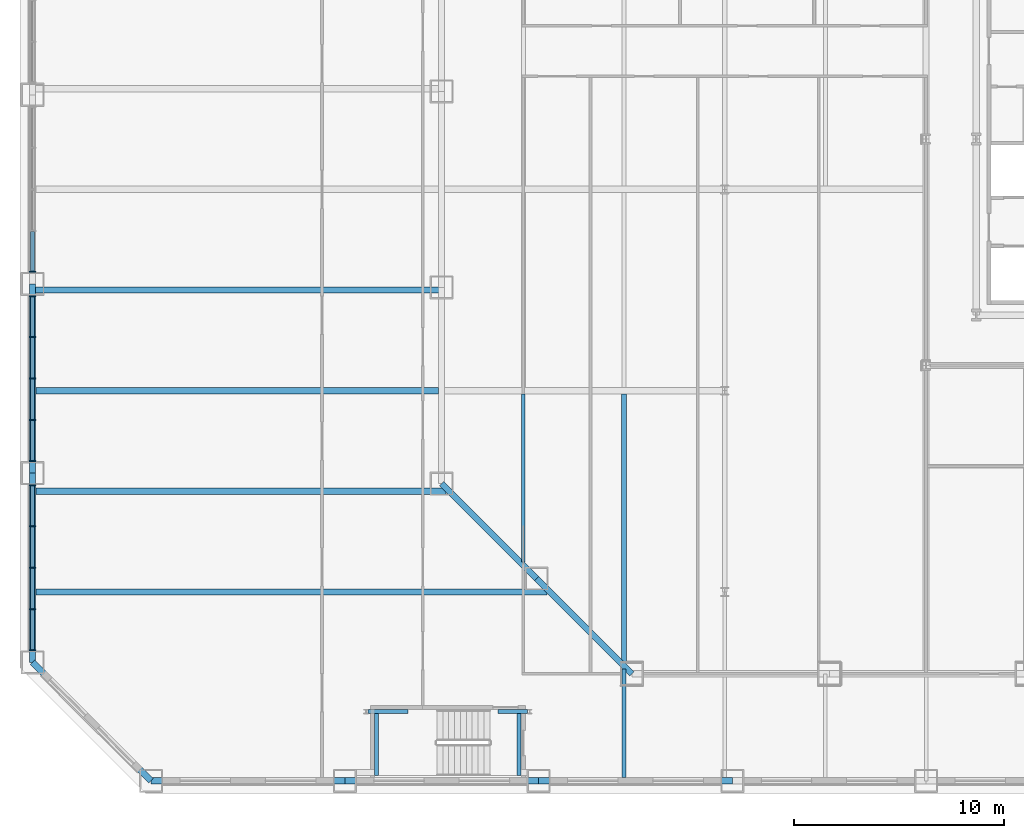
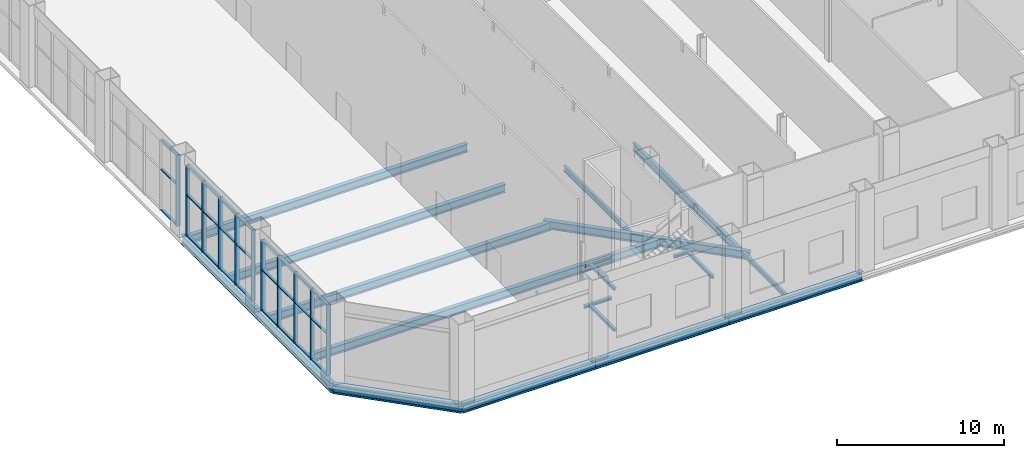
# One storey, part 8 of 31: 38 members, 21 beams, 3 elements without a shape of their own.
"""IFC4 building model written with IfcOpenShell, lengths in metres."""

from ifc_helpers import new_model, si_unit, direction, frame, origin, origin_2d, place, context, subcontext, project, spatial, rectangle, i_section, extrude, material, material_profile, profile_set, type_object, element, aggregate, save


model = new_model("IFC4")

# Units and contexts
model_context = context("Model", 3, precision=1e-05, world=origin(), true_north=direction((0.0, 1.0)))
body_context = subcontext(model_context, "Body", "Model", "MODEL_VIEW")
ifc_project = project(units=[si_unit("LENGTHUNIT", "METRE"), si_unit("AREAUNIT", "SQUARE_METRE"), si_unit("VOLUMEUNIT", "CUBIC_METRE"), si_unit("PLANEANGLEUNIT", "RADIAN"), si_unit("MASSUNIT", "GRAM", prefix="KILO")], contexts=[model_context])

# Site, building, storey
site_placement = place(None, origin())
site = spatial("IfcSite", under=ifc_project, at=site_placement, CompositionType="ELEMENT")
building_placement = place(site_placement, origin())
building = spatial("IfcBuilding", under=site, at=building_placement, Name="Cairn Pilgrim Tower", CompositionType="ELEMENT")
storey_placement = place(building_placement, frame((0.0, 0.0, 9.0)))
storey = spatial("IfcBuildingStorey", under=building, at=storey_placement, Name="L01", CompositionType="ELEMENT", Elevation=9.0)

# Curtain wall, member
ifc_material_1 = material(Name="Bronze anodised aluminium with Tinted laminated low-E glass", Category="aluminium")
curtain_wall_type = type_object("IfcCurtainWallType", Name="HALL CW", PredefinedType="NOTDEFINED", material=ifc_material_1)
curtain_wall_1_placement = place(storey_placement, origin())
curtain_wall_1 = element("IfcCurtainWall", 1, at=curtain_wall_1_placement, inside=storey, type_object=curtain_wall_type, Name="HALL CW L01 W3-W4", PredefinedType="NOTDEFINED")
ifc_material_2 = material(Name="Bronze anodised aluminium", Category="aluminium")
ifc_material_profile_1 = material_profile(ifc_material_2, rectangle(XDim=0.300048828125, YDim=0.06005859375, at=origin_2d()), Name="HALL MULLION 60x300 BRONZE")
ifc_profile_set_1 = profile_set([ifc_material_profile_1], Name="Bronze anodised aluminium")
member_type_1 = type_object("IfcMemberType", Name="HALL MULLION 60x300 BRONZE", PredefinedType="MULLION", material=ifc_profile_set_1)
member_1_placement = place(storey_placement, frame((-47.39990234375, -3.930419921875, 0.0), z_axis=(0.0, 0.0, 1.0), x_axis=(1.0, 0.0, 0.0)))
member_1 = element("IfcMember", 2, at=member_1_placement, type_object=member_type_1, Name="HCW-W3-W4 mullion 5", PredefinedType="MULLION", context=body_context, shape_type="SweptSolid", body=[
    extrude(rectangle(XDim=0.300048828125, YDim=0.06005859375, at=origin_2d()), origin(), (0.0, 0.0, 1.0), 5.199951171875),
])

# Curtain wall, members
curtain_wall_2_placement = place(storey_placement, origin())
curtain_wall_2 = element("IfcCurtainWall", 3, at=curtain_wall_2_placement, inside=storey, type_object=curtain_wall_type, Name="HALL CW L01 W4-W5", PredefinedType="NOTDEFINED")
member_2_placement = place(storey_placement, frame((-47.39990234375, -5.09033203125, 0.0), z_axis=(0.0, 0.0, 1.0), x_axis=(1.0, 0.0, 0.0)))
member_2 = element("IfcMember", 4, at=member_2_placement, type_object=member_type_1, Name="HCW-W4-W5 mullion 1", PredefinedType="MULLION", context=body_context, shape_type="SweptSolid", body=[
    extrude(rectangle(XDim=0.300048828125, YDim=0.06005859375, at=origin_2d()), origin(), (0.0, 0.0, 1.0), 5.199951171875),
])
member_3_placement = place(storey_placement, frame((-47.39990234375, -7.04052734375, 0.0), z_axis=(0.0, 0.0, 1.0), x_axis=(1.0, 0.0, 0.0)))
member_3 = element("IfcMember", 5, at=member_3_placement, type_object=member_type_1, Name="HCW-W4-W5 mullion 2", PredefinedType="MULLION", context=body_context, shape_type="SweptSolid", body=[
    extrude(rectangle(XDim=0.300048828125, YDim=0.06005859375, at=origin_2d()), origin(), (0.0, 0.0, 1.0), 5.199951171875),
])
member_4_placement = place(storey_placement, frame((-47.39990234375, -9.0205078125, 0.0), z_axis=(0.0, 0.0, 1.0), x_axis=(1.0, 0.0, 0.0)))
member_4 = element("IfcMember", 6, at=member_4_placement, type_object=member_type_1, Name="HCW-W4-W5 mullion 3", PredefinedType="MULLION", context=body_context, shape_type="SweptSolid", body=[
    extrude(rectangle(XDim=0.300048828125, YDim=0.06005859375, at=origin_2d()), origin(), (0.0, 0.0, 1.0), 5.199951171875),
])
member_5_placement = place(storey_placement, frame((-47.39990234375, -11.000732421875, 0.0), z_axis=(0.0, 0.0, 1.0), x_axis=(1.0, 0.0, 0.0)))
member_5 = element("IfcMember", 7, at=member_5_placement, type_object=member_type_1, Name="HCW-W4-W5 mullion 4", PredefinedType="MULLION", context=body_context, shape_type="SweptSolid", body=[
    extrude(rectangle(XDim=0.300048828125, YDim=0.06005859375, at=origin_2d()), origin(), (0.0, 0.0, 1.0), 5.199951171875),
])
member_6_placement = place(storey_placement, frame((-47.39990234375, -12.950927734375, 0.0), z_axis=(0.0, 0.0, 1.0), x_axis=(1.0, 0.0, 0.0)))
member_6 = element("IfcMember", 8, at=member_6_placement, type_object=member_type_1, Name="HCW-W4-W5 mullion 5", PredefinedType="MULLION", context=body_context, shape_type="SweptSolid", body=[
    extrude(rectangle(XDim=0.300048828125, YDim=0.06005859375, at=origin_2d()), origin(), (0.0, 0.0, 1.0), 5.199951171875),
])

curtain_wall_3_placement = place(storey_placement, origin())
curtain_wall_3 = element("IfcCurtainWall", 9, at=curtain_wall_3_placement, inside=storey, type_object=curtain_wall_type, Name="HALL CW L01 W5-SW1", PredefinedType="NOTDEFINED")
member_7_placement = place(storey_placement, frame((-47.39990234375, -14.11083984375, 0.0), z_axis=(0.0, 0.0, 1.0), x_axis=(1.0, 0.0, 0.0)))
member_7 = element("IfcMember", 10, at=member_7_placement, type_object=member_type_1, Name="HCW-W5-SW1 mullion 1", PredefinedType="MULLION", context=body_context, shape_type="SweptSolid", body=[
    extrude(rectangle(XDim=0.300048828125, YDim=0.06005859375, at=origin_2d()), origin(), (0.0, 0.0, 1.0), 5.199951171875),
])
member_8_placement = place(storey_placement, frame((-47.39990234375, -16.06103515625, 0.0), z_axis=(0.0, 0.0, 1.0), x_axis=(1.0, 0.0, 0.0)))
member_8 = element("IfcMember", 11, at=member_8_placement, type_object=member_type_1, Name="HCW-W5-SW1 mullion 2", PredefinedType="MULLION", context=body_context, shape_type="SweptSolid", body=[
    extrude(rectangle(XDim=0.300048828125, YDim=0.06005859375, at=origin_2d()), origin(), (0.0, 0.0, 1.0), 5.199951171875),
])
member_9_placement = place(storey_placement, frame((-47.39990234375, -18.041259765625, 0.0), z_axis=(0.0, 0.0, 1.0), x_axis=(1.0, 0.0, 0.0)))
member_9 = element("IfcMember", 12, at=member_9_placement, type_object=member_type_1, Name="HCW-W5-SW1 mullion 3", PredefinedType="MULLION", context=body_context, shape_type="SweptSolid", body=[
    extrude(rectangle(XDim=0.300048828125, YDim=0.06005859375, at=origin_2d()), origin(), (0.0, 0.0, 1.0), 5.199951171875),
])
member_10_placement = place(storey_placement, frame((-47.39990234375, -20.021240234375, 0.0), z_axis=(0.0, 0.0, 1.0), x_axis=(1.0, 0.0, 0.0)))
member_10 = element("IfcMember", 13, at=member_10_placement, type_object=member_type_1, Name="HCW-W5-SW1 mullion 4", PredefinedType="MULLION", context=body_context, shape_type="SweptSolid", body=[
    extrude(rectangle(XDim=0.300048828125, YDim=0.06005859375, at=origin_2d()), origin(), (0.0, 0.0, 1.0), 5.199951171875),
])
member_11_placement = place(storey_placement, frame((-47.39990234375, -21.971435546875, 0.0), z_axis=(0.0, 0.0, 1.0), x_axis=(1.0, 0.0, 0.0)))
member_11 = element("IfcMember", 14, at=member_11_placement, type_object=member_type_1, Name="HCW-W5-SW1 mullion 5", PredefinedType="MULLION", context=body_context, shape_type="SweptSolid", body=[
    extrude(rectangle(XDim=0.300048828125, YDim=0.06005859375, at=origin_2d()), origin(), (0.0, 0.0, 1.0), 5.199951171875),
])

# Member
ifc_material_profile_2 = material_profile(ifc_material_2, rectangle(XDim=0.199951171875, YDim=0.06005859375, at=origin_2d()), Name="HALL TRANSOM 60x200 BRONZE")
ifc_profile_set_2 = profile_set([ifc_material_profile_2], Name="Bronze anodised aluminium")
member_type_2 = type_object("IfcMemberType", Name="HALL TRANSOM 60x200 BRONZE", PredefinedType="USERDEFINED", material=ifc_profile_set_2)
member_12_placement = place(storey_placement, frame((-47.39990234375, -2.01025390625, 0.030029296875), z_axis=(0.0, -1.0, 0.0), x_axis=(1.0, 0.0, 0.0)))
member_12 = element("IfcMember", 15, at=member_12_placement, type_object=member_type_2, Name="HCW-W3-W4 transom 4.1", ObjectType="TRANSOM", PredefinedType="USERDEFINED", context=body_context, shape_type="SweptSolid", body=[
    extrude(rectangle(XDim=0.199951171875, YDim=0.06005859375, at=origin_2d()), origin(), (0.0, 0.0, 1.0), 1.89013671875),
])

member_13_placement = place(storey_placement, frame((-47.39990234375, -2.01025390625, 3.0), z_axis=(0.0, -1.0, 0.0), x_axis=(1.0, 0.0, 0.0)))
member_13 = element("IfcMember", 16, at=member_13_placement, type_object=member_type_2, Name="HCW-W3-W4 transom 4.2", ObjectType="TRANSOM", PredefinedType="USERDEFINED", context=body_context, shape_type="SweptSolid", body=[
    extrude(rectangle(XDim=0.199951171875, YDim=0.06005859375, at=origin_2d()), origin(), (0.0, 0.0, 1.0), 1.89013671875),
])

member_14_placement = place(storey_placement, frame((-47.39990234375, -2.01025390625, 5.169921875), z_axis=(0.0, -1.0, 0.0), x_axis=(1.0, 0.0, 0.0)))
member_14 = element("IfcMember", 17, at=member_14_placement, type_object=member_type_2, Name="HCW-W3-W4 transom 4.3", ObjectType="TRANSOM", PredefinedType="USERDEFINED", context=body_context, shape_type="SweptSolid", body=[
    extrude(rectangle(XDim=0.199951171875, YDim=0.06005859375, at=origin_2d()), origin(), (0.0, 0.0, 1.0), 1.89013671875),
])

aggregate(curtain_wall_1, [member_1, member_12, member_13, member_14])

member_15_placement = place(storey_placement, frame((-47.39990234375, -5.120361328125, 0.030029296875), z_axis=(0.0, -1.0, 0.0), x_axis=(1.0, 0.0, 0.0)))
member_15 = element("IfcMember", 18, at=member_15_placement, type_object=member_type_2, Name="HCW-W4-W5 transom 1.1", ObjectType="TRANSOM", PredefinedType="USERDEFINED", context=body_context, shape_type="SweptSolid", body=[
    extrude(rectangle(XDim=0.199951171875, YDim=0.06005859375, at=origin_2d()), origin(), (0.0, 0.0, 1.0), 1.89013671875),
])

member_16_placement = place(storey_placement, frame((-47.39990234375, -5.120361328125, 3.0), z_axis=(0.0, -1.0, 0.0), x_axis=(1.0, 0.0, 0.0)))
member_16 = element("IfcMember", 19, at=member_16_placement, type_object=member_type_2, Name="HCW-W4-W5 transom 1.2", ObjectType="TRANSOM", PredefinedType="USERDEFINED", context=body_context, shape_type="SweptSolid", body=[
    extrude(rectangle(XDim=0.199951171875, YDim=0.06005859375, at=origin_2d()), origin(), (0.0, 0.0, 1.0), 1.89013671875),
])

member_17_placement = place(storey_placement, frame((-47.39990234375, -5.120361328125, 5.169921875), z_axis=(0.0, -1.0, 0.0), x_axis=(1.0, 0.0, 0.0)))
member_17 = element("IfcMember", 20, at=member_17_placement, type_object=member_type_2, Name="HCW-W4-W5 transom 1.3", ObjectType="TRANSOM", PredefinedType="USERDEFINED", context=body_context, shape_type="SweptSolid", body=[
    extrude(rectangle(XDim=0.199951171875, YDim=0.06005859375, at=origin_2d()), origin(), (0.0, 0.0, 1.0), 1.89013671875),
])

member_18_placement = place(storey_placement, frame((-47.39990234375, -7.070556640625, 0.030029296875), z_axis=(0.0, -1.0, 0.0), x_axis=(1.0, 0.0, 0.0)))
member_18 = element("IfcMember", 21, at=member_18_placement, type_object=member_type_2, Name="HCW-W4-W5 transom 2.1", ObjectType="TRANSOM", PredefinedType="USERDEFINED", context=body_context, shape_type="SweptSolid", body=[
    extrude(rectangle(XDim=0.199951171875, YDim=0.06005859375, at=origin_2d()), origin(), (0.0, 0.0, 1.0), 1.919921875),
])

member_19_placement = place(storey_placement, frame((-47.39990234375, -7.070556640625, 3.0), z_axis=(0.0, -1.0, 0.0), x_axis=(1.0, 0.0, 0.0)))
member_19 = element("IfcMember", 22, at=member_19_placement, type_object=member_type_2, Name="HCW-W4-W5 transom 2.2", ObjectType="TRANSOM", PredefinedType="USERDEFINED", context=body_context, shape_type="SweptSolid", body=[
    extrude(rectangle(XDim=0.199951171875, YDim=0.06005859375, at=origin_2d()), origin(), (0.0, 0.0, 1.0), 1.919921875),
])

member_20_placement = place(storey_placement, frame((-47.39990234375, -7.070556640625, 5.169921875), z_axis=(0.0, -1.0, 0.0), x_axis=(1.0, 0.0, 0.0)))
member_20 = element("IfcMember", 23, at=member_20_placement, type_object=member_type_2, Name="HCW-W4-W5 transom 2.3", ObjectType="TRANSOM", PredefinedType="USERDEFINED", context=body_context, shape_type="SweptSolid", body=[
    extrude(rectangle(XDim=0.199951171875, YDim=0.06005859375, at=origin_2d()), origin(), (0.0, 0.0, 1.0), 1.919921875),
])

member_21_placement = place(storey_placement, frame((-47.39990234375, -9.050537109375, 0.030029296875), z_axis=(0.0, -1.0, 0.0), x_axis=(1.0, 0.0, 0.0)))
member_21 = element("IfcMember", 24, at=member_21_placement, type_object=member_type_2, Name="HCW-W4-W5 transom 3.1", ObjectType="TRANSOM", PredefinedType="USERDEFINED", context=body_context, shape_type="SweptSolid", body=[
    extrude(rectangle(XDim=0.199951171875, YDim=0.06005859375, at=origin_2d()), origin(), (0.0, 0.0, 1.0), 1.920166015625),
])

member_22_placement = place(storey_placement, frame((-47.39990234375, -9.050537109375, 3.0), z_axis=(0.0, -1.0, 0.0), x_axis=(1.0, 0.0, 0.0)))
member_22 = element("IfcMember", 25, at=member_22_placement, type_object=member_type_2, Name="HCW-W4-W5 transom 3.2", ObjectType="TRANSOM", PredefinedType="USERDEFINED", context=body_context, shape_type="SweptSolid", body=[
    extrude(rectangle(XDim=0.199951171875, YDim=0.06005859375, at=origin_2d()), origin(), (0.0, 0.0, 1.0), 1.920166015625),
])

member_23_placement = place(storey_placement, frame((-47.39990234375, -9.050537109375, 5.169921875), z_axis=(0.0, -1.0, 0.0), x_axis=(1.0, 0.0, 0.0)))
member_23 = element("IfcMember", 26, at=member_23_placement, type_object=member_type_2, Name="HCW-W4-W5 transom 3.3", ObjectType="TRANSOM", PredefinedType="USERDEFINED", context=body_context, shape_type="SweptSolid", body=[
    extrude(rectangle(XDim=0.199951171875, YDim=0.06005859375, at=origin_2d()), origin(), (0.0, 0.0, 1.0), 1.920166015625),
])

member_24_placement = place(storey_placement, frame((-47.39990234375, -11.03076171875, 0.030029296875), z_axis=(0.0, -1.0, 0.0), x_axis=(1.0, 0.0, 0.0)))
member_24 = element("IfcMember", 27, at=member_24_placement, type_object=member_type_2, Name="HCW-W4-W5 transom 4.1", ObjectType="TRANSOM", PredefinedType="USERDEFINED", context=body_context, shape_type="SweptSolid", body=[
    extrude(rectangle(XDim=0.199951171875, YDim=0.06005859375, at=origin_2d()), origin(), (0.0, 0.0, 1.0), 1.89013671875),
])

member_25_placement = place(storey_placement, frame((-47.39990234375, -11.03076171875, 3.0), z_axis=(0.0, -1.0, 0.0), x_axis=(1.0, 0.0, 0.0)))
member_25 = element("IfcMember", 28, at=member_25_placement, type_object=member_type_2, Name="HCW-W4-W5 transom 4.2", ObjectType="TRANSOM", PredefinedType="USERDEFINED", context=body_context, shape_type="SweptSolid", body=[
    extrude(rectangle(XDim=0.199951171875, YDim=0.06005859375, at=origin_2d()), origin(), (0.0, 0.0, 1.0), 1.89013671875),
])

member_26_placement = place(storey_placement, frame((-47.39990234375, -11.03076171875, 5.169921875), z_axis=(0.0, -1.0, 0.0), x_axis=(1.0, 0.0, 0.0)))
member_26 = element("IfcMember", 29, at=member_26_placement, type_object=member_type_2, Name="HCW-W4-W5 transom 4.3", ObjectType="TRANSOM", PredefinedType="USERDEFINED", context=body_context, shape_type="SweptSolid", body=[
    extrude(rectangle(XDim=0.199951171875, YDim=0.06005859375, at=origin_2d()), origin(), (0.0, 0.0, 1.0), 1.89013671875),
])

aggregate(curtain_wall_2, [member_2, member_3, member_4, member_5, member_6, member_15, member_16, member_17, member_18, member_19, member_20, member_21, member_22, member_23, member_24, member_25, member_26])

member_27_placement = place(storey_placement, frame((-47.39990234375, -14.140869140625, 0.030029296875), z_axis=(0.0, -1.0, 0.0), x_axis=(1.0, 0.0, 0.0)))
member_27 = element("IfcMember", 30, at=member_27_placement, type_object=member_type_2, Name="HCW-W5-SW1 transom 1.1", ObjectType="TRANSOM", PredefinedType="USERDEFINED", context=body_context, shape_type="SweptSolid", body=[
    extrude(rectangle(XDim=0.199951171875, YDim=0.06005859375, at=origin_2d()), origin(), (0.0, 0.0, 1.0), 1.89013671875),
])

member_28_placement = place(storey_placement, frame((-47.39990234375, -14.140869140625, 3.0), z_axis=(0.0, -1.0, 0.0), x_axis=(1.0, 0.0, 0.0)))
member_28 = element("IfcMember", 31, at=member_28_placement, type_object=member_type_2, Name="HCW-W5-SW1 transom 1.2", ObjectType="TRANSOM", PredefinedType="USERDEFINED", context=body_context, shape_type="SweptSolid", body=[
    extrude(rectangle(XDim=0.199951171875, YDim=0.06005859375, at=origin_2d()), origin(), (0.0, 0.0, 1.0), 1.89013671875),
])

member_29_placement = place(storey_placement, frame((-47.39990234375, -14.140869140625, 5.169921875), z_axis=(0.0, -1.0, 0.0), x_axis=(1.0, 0.0, 0.0)))
member_29 = element("IfcMember", 32, at=member_29_placement, type_object=member_type_2, Name="HCW-W5-SW1 transom 1.3", ObjectType="TRANSOM", PredefinedType="USERDEFINED", context=body_context, shape_type="SweptSolid", body=[
    extrude(rectangle(XDim=0.199951171875, YDim=0.06005859375, at=origin_2d()), origin(), (0.0, 0.0, 1.0), 1.89013671875),
])

member_30_placement = place(storey_placement, frame((-47.39990234375, -16.091064453125, 0.030029296875), z_axis=(0.0, -1.0, 0.0), x_axis=(1.0, 0.0, 0.0)))
member_30 = element("IfcMember", 33, at=member_30_placement, type_object=member_type_2, Name="HCW-W5-SW1 transom 2.1", ObjectType="TRANSOM", PredefinedType="USERDEFINED", context=body_context, shape_type="SweptSolid", body=[
    extrude(rectangle(XDim=0.199951171875, YDim=0.06005859375, at=origin_2d()), origin(), (0.0, 0.0, 1.0), 1.920166015625),
])

member_31_placement = place(storey_placement, frame((-47.39990234375, -16.091064453125, 3.0), z_axis=(0.0, -1.0, 0.0), x_axis=(1.0, 0.0, 0.0)))
member_31 = element("IfcMember", 34, at=member_31_placement, type_object=member_type_2, Name="HCW-W5-SW1 transom 2.2", ObjectType="TRANSOM", PredefinedType="USERDEFINED", context=body_context, shape_type="SweptSolid", body=[
    extrude(rectangle(XDim=0.199951171875, YDim=0.06005859375, at=origin_2d()), origin(), (0.0, 0.0, 1.0), 1.920166015625),
])

member_32_placement = place(storey_placement, frame((-47.39990234375, -16.091064453125, 5.169921875), z_axis=(0.0, -1.0, 0.0), x_axis=(1.0, 0.0, 0.0)))
member_32 = element("IfcMember", 35, at=member_32_placement, type_object=member_type_2, Name="HCW-W5-SW1 transom 2.3", ObjectType="TRANSOM", PredefinedType="USERDEFINED", context=body_context, shape_type="SweptSolid", body=[
    extrude(rectangle(XDim=0.199951171875, YDim=0.06005859375, at=origin_2d()), origin(), (0.0, 0.0, 1.0), 1.920166015625),
])

member_33_placement = place(storey_placement, frame((-47.39990234375, -18.0712890625, 0.030029296875), z_axis=(0.0, -1.0, 0.0), x_axis=(1.0, 0.0, 0.0)))
member_33 = element("IfcMember", 36, at=member_33_placement, type_object=member_type_2, Name="HCW-W5-SW1 transom 3.1", ObjectType="TRANSOM", PredefinedType="USERDEFINED", context=body_context, shape_type="SweptSolid", body=[
    extrude(rectangle(XDim=0.199951171875, YDim=0.06005859375, at=origin_2d()), origin(), (0.0, 0.0, 1.0), 1.920166015625),
])

member_34_placement = place(storey_placement, frame((-47.39990234375, -18.0712890625, 3.0), z_axis=(0.0, -1.0, 0.0), x_axis=(1.0, 0.0, 0.0)))
member_34 = element("IfcMember", 37, at=member_34_placement, type_object=member_type_2, Name="HCW-W5-SW1 transom 3.2", ObjectType="TRANSOM", PredefinedType="USERDEFINED", context=body_context, shape_type="SweptSolid", body=[
    extrude(rectangle(XDim=0.199951171875, YDim=0.06005859375, at=origin_2d()), origin(), (0.0, 0.0, 1.0), 1.920166015625),
])

member_35_placement = place(storey_placement, frame((-47.39990234375, -18.0712890625, 5.169921875), z_axis=(0.0, -1.0, 0.0), x_axis=(1.0, 0.0, 0.0)))
member_35 = element("IfcMember", 38, at=member_35_placement, type_object=member_type_2, Name="HCW-W5-SW1 transom 3.3", ObjectType="TRANSOM", PredefinedType="USERDEFINED", context=body_context, shape_type="SweptSolid", body=[
    extrude(rectangle(XDim=0.199951171875, YDim=0.06005859375, at=origin_2d()), origin(), (0.0, 0.0, 1.0), 1.920166015625),
])

member_36_placement = place(storey_placement, frame((-47.39990234375, -20.05126953125, 0.030029296875), z_axis=(0.0, -1.0, 0.0), x_axis=(1.0, 0.0, 0.0)))
member_36 = element("IfcMember", 39, at=member_36_placement, type_object=member_type_2, Name="HCW-W5-SW1 transom 4.1", ObjectType="TRANSOM", PredefinedType="USERDEFINED", context=body_context, shape_type="SweptSolid", body=[
    extrude(rectangle(XDim=0.199951171875, YDim=0.06005859375, at=origin_2d()), origin(), (0.0, 0.0, 1.0), 1.89013671875),
])

member_37_placement = place(storey_placement, frame((-47.39990234375, -20.05126953125, 3.0), z_axis=(0.0, -1.0, 0.0), x_axis=(1.0, 0.0, 0.0)))
member_37 = element("IfcMember", 40, at=member_37_placement, type_object=member_type_2, Name="HCW-W5-SW1 transom 4.2", ObjectType="TRANSOM", PredefinedType="USERDEFINED", context=body_context, shape_type="SweptSolid", body=[
    extrude(rectangle(XDim=0.199951171875, YDim=0.06005859375, at=origin_2d()), origin(), (0.0, 0.0, 1.0), 1.89013671875),
])

member_38_placement = place(storey_placement, frame((-47.39990234375, -20.05126953125, 5.169921875), z_axis=(0.0, -1.0, 0.0), x_axis=(1.0, 0.0, 0.0)))
member_38 = element("IfcMember", 41, at=member_38_placement, type_object=member_type_2, Name="HCW-W5-SW1 transom 4.3", ObjectType="TRANSOM", PredefinedType="USERDEFINED", context=body_context, shape_type="SweptSolid", body=[
    extrude(rectangle(XDim=0.199951171875, YDim=0.06005859375, at=origin_2d()), origin(), (0.0, 0.0, 1.0), 1.89013671875),
])

aggregate(curtain_wall_3, [member_7, member_8, member_9, member_10, member_11, member_27, member_28, member_29, member_30, member_31, member_32, member_33, member_34, member_35, member_36, member_37, member_38])

# Beams
ifc_material_3 = material(Name="Structural steel S355J2", Category="steel")
ifc_material_profile_3 = material_profile(ifc_material_3, i_section(OverallWidth=0.300048828125, OverallDepth=0.60009765625, WebThickness=0.015380859375, FlangeThickness=0.030029296875, FilletRadius=0.027099609375, at=origin_2d()), Name="HEB 600")
ifc_profile_set_3 = profile_set([ifc_material_profile_3], Name="Structural steel S355J2")
beam_type_1 = type_object("IfcBeamType", Name="PODIUM BEAM HE 600 B", PredefinedType="BEAM", material=ifc_profile_set_3)
beam_1_placement = place(storey_placement, frame((-47.248046875, -19.199951171875, -0.5), z_axis=(1.0, 0.0, 0.0), x_axis=(0.0, 1.0, 0.0)))
element("IfcBeam", 42, at=beam_1_placement, inside=storey, type_object=beam_type_1, Name="PODIUM BEAM PB-HE600B", PredefinedType="BEAM", context=body_context, shape_type="SweptSolid", body=[
    extrude(i_section(OverallWidth=0.300048828125, OverallDepth=0.60009765625, WebThickness=0.015380859375, FlangeThickness=0.030029296875, FilletRadius=0.027099609375, at=origin_2d()), origin(), (0.0, 0.0, 1.0), 24.368896484375),
])
beam_2_placement = place(storey_placement, frame((-47.248046875, -14.39990234375, -0.5), z_axis=(1.0, 0.0, 0.0), x_axis=(0.0, 1.0, 0.0)))
element("IfcBeam", 43, at=beam_2_placement, inside=storey, type_object=beam_type_1, Name="PODIUM BEAM PB-HE600B", PredefinedType="BEAM", context=body_context, shape_type="SweptSolid", body=[
    extrude(i_section(OverallWidth=0.300048828125, OverallDepth=0.60009765625, WebThickness=0.015380859375, FlangeThickness=0.030029296875, FilletRadius=0.027099609375, at=origin_2d()), origin(), (0.0, 0.0, 1.0), 19.56884765625),
])
beam_3_placement = place(storey_placement, frame((-47.248046875, -9.60009765625, -0.5), z_axis=(1.0, 0.0, 0.0), x_axis=(0.0, 1.0, 0.0)))
element("IfcBeam", 44, at=beam_3_placement, inside=storey, type_object=beam_type_1, Name="PODIUM BEAM PB-HE600B", PredefinedType="BEAM", context=body_context, shape_type="SweptSolid", body=[
    extrude(i_section(OverallWidth=0.300048828125, OverallDepth=0.60009765625, WebThickness=0.015380859375, FlangeThickness=0.030029296875, FilletRadius=0.027099609375, at=origin_2d()), origin(), (0.0, 0.0, 1.0), 19.196044921875),
])
beam_4_placement = place(storey_placement, frame((-47.39990234375, -4.800048828125, -0.5), z_axis=(1.0, 0.0, 0.0), x_axis=(0.0, 1.0, 0.0)))
element("IfcBeam", 45, at=beam_4_placement, inside=storey, type_object=beam_type_1, Name="PODIUM BEAM PB-HE600B", PredefinedType="BEAM", context=body_context, shape_type="SweptSolid", body=[
    extrude(i_section(OverallWidth=0.300048828125, OverallDepth=0.60009765625, WebThickness=0.015380859375, FlangeThickness=0.030029296875, FilletRadius=0.027099609375, at=origin_2d()), origin(), (0.0, 0.0, 1.0), 19.5),
])
ifc_material_profile_4 = material_profile(ifc_material_3, i_section(OverallWidth=0.169921875, OverallDepth=0.360107421875, WebThickness=0.008056640625, FlangeThickness=0.0126953125, FilletRadius=0.01806640625, at=origin_2d()), Name="IPE 360")
ifc_profile_set_4 = profile_set([ifc_material_profile_4], Name="Structural steel S355J2")
beam_type_2 = type_object("IfcBeamType", Name="PODIUM BEAM IPE 360", PredefinedType="BEAM", material=ifc_profile_set_4)
beam_5_placement = place(storey_placement, frame((-19.199951171875, -28.048095703125, -0.3798828125), z_axis=(0.0, 1.0, 0.0), x_axis=(-1.0, 0.0, 0.0)))
element("IfcBeam", 46, at=beam_5_placement, inside=storey, type_object=beam_type_2, Name="PODIUM BEAM PB-IPE360", PredefinedType="BEAM", context=body_context, shape_type="SweptSolid", body=[
    extrude(i_section(OverallWidth=0.169921875, OverallDepth=0.360107421875, WebThickness=0.008056640625, FlangeThickness=0.0126953125, FilletRadius=0.01806640625, at=origin_2d()), origin(), (0.0, 0.0, 1.0), 5.1689453125),
])
ifc_material_profile_5 = material_profile(ifc_material_3, i_section(OverallWidth=0.179931640625, OverallDepth=0.39990234375, WebThickness=0.008544921875, FlangeThickness=0.013427734375, FilletRadius=0.02099609375, at=origin_2d()), Name="IPE 400")
ifc_profile_set_5 = profile_set([ifc_material_profile_5], Name="Structural steel S355J2")
beam_type_3 = type_object("IfcBeamType", Name="PODIUM BEAM IPE 400", PredefinedType="BEAM", material=ifc_profile_set_5)
beam_6_placement = place(storey_placement, frame((-24.0, -17.775146484375, -0.39990234375), z_axis=(0.0, 1.0, 0.0), x_axis=(-1.0, 0.0, 0.0)))
element("IfcBeam", 47, at=beam_6_placement, inside=storey, type_object=beam_type_3, Name="PODIUM BEAM PB-IPE400", PredefinedType="BEAM", context=body_context, shape_type="SweptSolid", body=[
    extrude(i_section(OverallWidth=0.179931640625, OverallDepth=0.39990234375, WebThickness=0.008544921875, FlangeThickness=0.013427734375, FilletRadius=0.02099609375, at=origin_2d()), origin(), (0.0, 0.0, 1.0), 8.023193359375),
])
ifc_material_profile_6 = material_profile(ifc_material_3, i_section(OverallWidth=0.219970703125, OverallDepth=0.60009765625, WebThickness=0.011962890625, FlangeThickness=0.01904296875, FilletRadius=0.02392578125, at=origin_2d()), Name="IPE 600")
ifc_profile_set_6 = profile_set([ifc_material_profile_6], Name="Structural steel S355J2")
beam_type_4 = type_object("IfcBeamType", Name="PODIUM BEAM IPE 600", PredefinedType="BEAM", material=ifc_profile_set_6)
beam_7_placement = place(storey_placement, frame((-19.199951171875, -22.5751953125, -0.5), z_axis=(0.0, 1.0, 0.0), x_axis=(-1.0, 0.0, 0.0)))
element("IfcBeam", 48, at=beam_7_placement, inside=storey, type_object=beam_type_4, Name="PODIUM BEAM PB-IPE600", PredefinedType="BEAM", context=body_context, shape_type="SweptSolid", body=[
    extrude(i_section(OverallWidth=0.219970703125, OverallDepth=0.60009765625, WebThickness=0.011962890625, FlangeThickness=0.01904296875, FilletRadius=0.02392578125, at=origin_2d()), origin(), (0.0, 0.0, 1.0), 12.8232421875),
])
ifc_material_profile_7 = material_profile(ifc_material_3, i_section(OverallWidth=0.300048828125, OverallDepth=0.699951171875, WebThickness=0.01708984375, FlangeThickness=0.031982421875, FilletRadius=0.027099609375, at=origin_2d()), Name="HEB 700")
ifc_profile_set_7 = profile_set([ifc_material_profile_7], Name="Structural steel S355J2")
beam_type_5 = type_object("IfcBeamType", Name="PODIUM EDGE GIRDER HE 700 B", PredefinedType="BEAM", material=ifc_profile_set_7)
beam_8_placement = place(storey_placement, frame((-41.75146484375, -28.199951171875, -0.550048828125), z_axis=(1.0, 0.0, 0.0), x_axis=(0.0, 1.0, 0.0)))
element("IfcBeam", 49, at=beam_8_placement, inside=storey, type_object=beam_type_5, Name="PODIUM EDGE GIRDER PE-HE700B", PredefinedType="BEAM", context=body_context, shape_type="SweptSolid", body=[
    extrude(i_section(OverallWidth=0.300048828125, OverallDepth=0.699951171875, WebThickness=0.01708984375, FlangeThickness=0.031982421875, FilletRadius=0.027099609375, at=origin_2d()), origin(), (0.0, 0.0, 1.0), 9.23779296875),
])
beam_9_placement = place(storey_placement, frame((-32.513671875, -28.199951171875, -0.550048828125), z_axis=(1.0, 0.0, 0.0), x_axis=(0.0, 1.0, 0.0)))
element("IfcBeam", 50, at=beam_9_placement, inside=storey, type_object=beam_type_5, Name="PODIUM EDGE GIRDER PE-HE700B", PredefinedType="BEAM", context=body_context, shape_type="SweptSolid", body=[
    extrude(i_section(OverallWidth=0.300048828125, OverallDepth=0.699951171875, WebThickness=0.01708984375, FlangeThickness=0.031982421875, FilletRadius=0.027099609375, at=origin_2d()), origin(), (0.0, 0.0, 1.0), 9.238037109375),
])
beam_10_placement = place(storey_placement, frame((-23.275634765625, -28.199951171875, -0.550048828125), z_axis=(1.0, 0.0, 0.0), x_axis=(0.0, 1.0, 0.0)))
element("IfcBeam", 51, at=beam_10_placement, inside=storey, type_object=beam_type_5, Name="PODIUM EDGE GIRDER PE-HE700B", PredefinedType="BEAM", context=body_context, shape_type="SweptSolid", body=[
    extrude(i_section(OverallWidth=0.300048828125, OverallDepth=0.699951171875, WebThickness=0.01708984375, FlangeThickness=0.031982421875, FilletRadius=0.027099609375, at=origin_2d()), origin(), (0.0, 0.0, 1.0), 9.23779296875),
])
beam_11_placement = place(storey_placement, frame((-47.39990234375, -4.51025390625, -0.550048828125), z_axis=(0.0, -1.0, 0.0), x_axis=(1.0, 0.0, 0.0)))
element("IfcBeam", 52, at=beam_11_placement, inside=storey, type_object=beam_type_5, Name="PODIUM EDGE GIRDER PE-HE700B", PredefinedType="BEAM", context=body_context, shape_type="SweptSolid", body=[
    extrude(i_section(OverallWidth=0.300048828125, OverallDepth=0.699951171875, WebThickness=0.01708984375, FlangeThickness=0.031982421875, FilletRadius=0.027099609375, at=origin_2d()), origin(), (0.0, 0.0, 1.0), 9.020751953125),
])
beam_12_placement = place(storey_placement, frame((-47.39990234375, -13.531005859375, -0.550048828125), z_axis=(0.0, -1.0, 0.0), x_axis=(1.0, 0.0, 0.0)))
element("IfcBeam", 53, at=beam_12_placement, inside=storey, type_object=beam_type_5, Name="PODIUM EDGE GIRDER PE-HE700B", PredefinedType="BEAM", context=body_context, shape_type="SweptSolid", body=[
    extrude(i_section(OverallWidth=0.300048828125, OverallDepth=0.699951171875, WebThickness=0.01708984375, FlangeThickness=0.031982421875, FilletRadius=0.027099609375, at=origin_2d()), origin(), (0.0, 0.0, 1.0), 9.0205078125),
])
beam_13_placement = place(storey_placement, frame((-47.39990234375, -22.551513671875, -0.550048828125), z_axis=(0.707106781187, -0.707106781187, 0.0), x_axis=(0.707106781187, 0.707106781187, 0.0)))
element("IfcBeam", 54, at=beam_13_placement, inside=storey, type_object=beam_type_5, Name="PODIUM EDGE GIRDER PE-HE700B", PredefinedType="BEAM", context=body_context, shape_type="SweptSolid", body=[
    extrude(i_section(OverallWidth=0.300048828125, OverallDepth=0.699951171875, WebThickness=0.01708984375, FlangeThickness=0.031982421875, FilletRadius=0.027099609375, at=origin_2d()), origin(), (0.0, 0.0, 1.0), 7.988037109375),
])
ifc_material_profile_8 = material_profile(ifc_material_3, i_section(OverallWidth=0.300048828125, OverallDepth=0.60009765625, WebThickness=0.015380859375, FlangeThickness=0.030029296875, FilletRadius=0.027099609375, at=origin_2d()), Name="HEB 600")
ifc_profile_set_8 = profile_set([ifc_material_profile_8], Name="Structural steel S355J2")
beam_type_6 = type_object("IfcBeamType", Name="PODIUM GIRDER HE 600 B", PredefinedType="BEAM", material=ifc_profile_set_8)
for number, where, z_axis, x_axis, name in (
    (55, (-27.89990234375, -14.027099609375, -0.5), (0.707087753759, -0.707125808102, 0.0), (0.707125808102, 0.707087753759, 0.0), "PODIUM GIRDER PG-HE600B"),
    (56, (-23.363525390625, -18.563720703125, -0.5), (0.707106781187, -0.707106781187, 0.0), (0.707106781187, 0.707106781187, 0.0), "PODIUM GIRDER PG-HE600B"),
):
    element("IfcBeam", number, at=place(storey_placement, frame(where, z_axis=z_axis, x_axis=x_axis)), inside=storey, type_object=beam_type_6, Name=name, PredefinedType="BEAM", context=body_context, shape_type="SweptSolid", body=[
        extrude(i_section(OverallWidth=0.300048828125, OverallDepth=0.60009765625, WebThickness=0.015380859375, FlangeThickness=0.030029296875, FilletRadius=0.027099609375, at=origin_2d()), origin(), (0.0, 0.0, 1.0), 6.41552734375),
    ])
ifc_material_profile_9 = material_profile(ifc_material_3, i_section(OverallWidth=0.199951171875, OverallDepth=0.199951171875, WebThickness=0.009033203125, FlangeThickness=0.014892578125, FilletRadius=0.01806640625, at=origin_2d()), Name="HE 200 B")
ifc_profile_set_9 = profile_set([ifc_material_profile_9], Name="Structural steel S355J2")
beam_type_7 = type_object("IfcBeamType", Name="STAIR LANDING BEAM HE 200 B", PredefinedType="BEAM", material=ifc_profile_set_9)
beam_14_placement = place(storey_placement, frame((-31.39990234375, -24.89990234375, 1.199951171875), z_axis=(1.0, 0.0, 0.0), x_axis=(0.0, 1.0, 0.0)))
element("IfcBeam", 57, at=beam_14_placement, inside=storey, type_object=beam_type_7, Name="STAIR LANDING BEAM LD-HE200B", PredefinedType="BEAM", context=body_context, shape_type="SweptSolid", body=[
    extrude(i_section(OverallWidth=0.199951171875, OverallDepth=0.199951171875, WebThickness=0.009033203125, FlangeThickness=0.014892578125, FilletRadius=0.01806640625, at=origin_2d()), origin(), (0.0, 0.0, 1.0), 1.89990234375),
])
beam_15_placement = place(storey_placement, frame((-30.9951171875, -27.949951171875, 1.199951171875), z_axis=(0.0, 1.0, 0.0), x_axis=(-1.0, 0.0, 0.0)))
element("IfcBeam", 58, at=beam_15_placement, inside=storey, type_object=beam_type_7, Name="STAIR LANDING BEAM LD-HE200B", PredefinedType="BEAM", context=body_context, shape_type="SweptSolid", body=[
    extrude(i_section(OverallWidth=0.199951171875, OverallDepth=0.199951171875, WebThickness=0.009033203125, FlangeThickness=0.014892578125, FilletRadius=0.01806640625, at=origin_2d()), origin(), (0.0, 0.0, 1.0), 2.949951171875),
])
beam_16_placement = place(storey_placement, frame((-23.800048828125, -24.89990234375, 2.699951171875), z_axis=(-1.0, 0.0, 0.0), x_axis=(0.0, -1.0, 0.0)))
element("IfcBeam", 59, at=beam_16_placement, inside=storey, type_object=beam_type_7, Name="STAIR LANDING BEAM LD-HE200B", PredefinedType="BEAM", context=body_context, shape_type="SweptSolid", body=[
    extrude(i_section(OverallWidth=0.199951171875, OverallDepth=0.199951171875, WebThickness=0.009033203125, FlangeThickness=0.014892578125, FilletRadius=0.01806640625, at=origin_2d()), origin(), (0.0, 0.0, 1.0), 1.39990234375),
])
beam_17_placement = place(storey_placement, frame((-24.205078125, -27.949951171875, 2.699951171875), z_axis=(0.0, 1.0, 0.0), x_axis=(-1.0, 0.0, 0.0)))
element("IfcBeam", 60, at=beam_17_placement, inside=storey, type_object=beam_type_7, Name="STAIR LANDING BEAM LD-HE200B", PredefinedType="BEAM", context=body_context, shape_type="SweptSolid", body=[
    extrude(i_section(OverallWidth=0.199951171875, OverallDepth=0.199951171875, WebThickness=0.009033203125, FlangeThickness=0.014892578125, FilletRadius=0.01806640625, at=origin_2d()), origin(), (0.0, 0.0, 1.0), 2.949951171875),
])
beam_18_placement = place(storey_placement, frame((-31.39990234375, -24.89990234375, 4.199951171875), z_axis=(1.0, 0.0, 0.0), x_axis=(0.0, 1.0, 0.0)))
element("IfcBeam", 61, at=beam_18_placement, inside=storey, type_object=beam_type_7, Name="STAIR LANDING BEAM LD-HE200B", PredefinedType="BEAM", context=body_context, shape_type="SweptSolid", body=[
    extrude(i_section(OverallWidth=0.199951171875, OverallDepth=0.199951171875, WebThickness=0.009033203125, FlangeThickness=0.014892578125, FilletRadius=0.01806640625, at=origin_2d()), origin(), (0.0, 0.0, 1.0), 1.89990234375),
])
beam_19_placement = place(storey_placement, frame((-30.9951171875, -27.949951171875, 4.199951171875), z_axis=(0.0, 1.0, 0.0), x_axis=(-1.0, 0.0, 0.0)))
element("IfcBeam", 62, at=beam_19_placement, inside=storey, type_object=beam_type_7, Name="STAIR LANDING BEAM LD-HE200B", PredefinedType="BEAM", context=body_context, shape_type="SweptSolid", body=[
    extrude(i_section(OverallWidth=0.199951171875, OverallDepth=0.199951171875, WebThickness=0.009033203125, FlangeThickness=0.014892578125, FilletRadius=0.01806640625, at=origin_2d()), origin(), (0.0, 0.0, 1.0), 2.949951171875),
])

save(model, "model.ifc")
